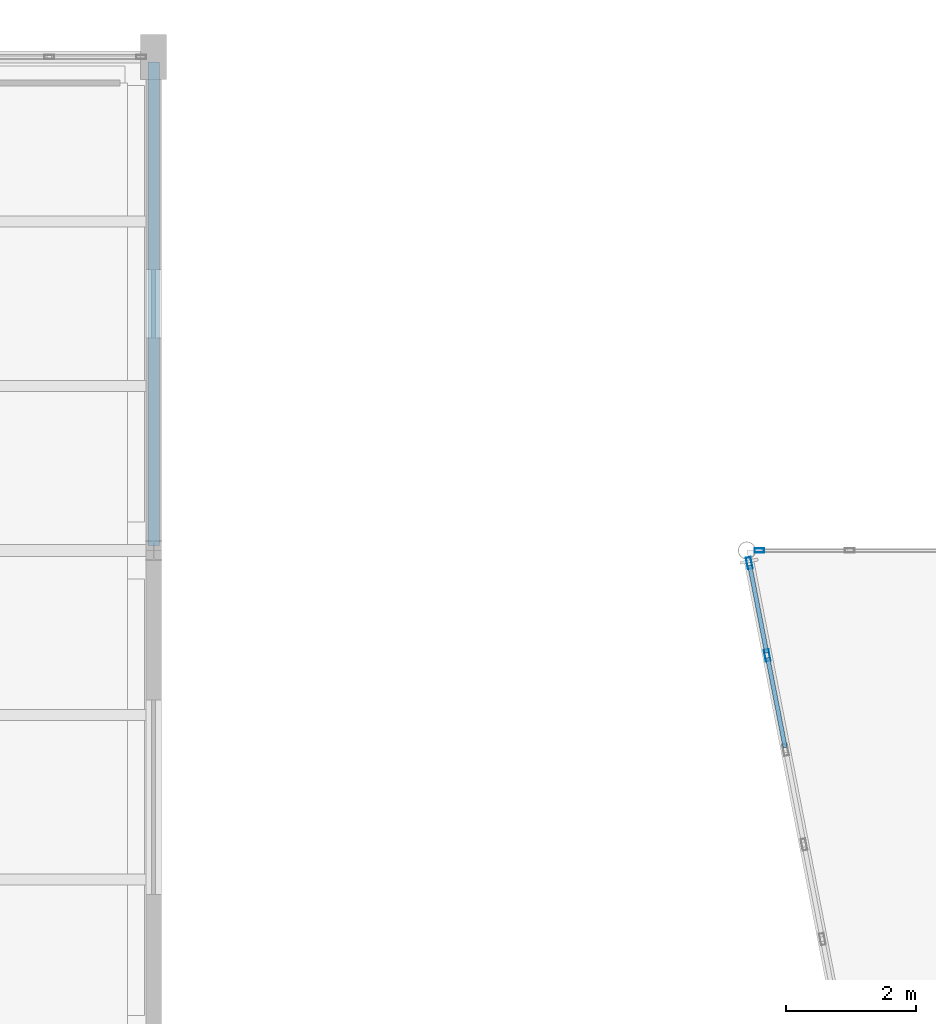
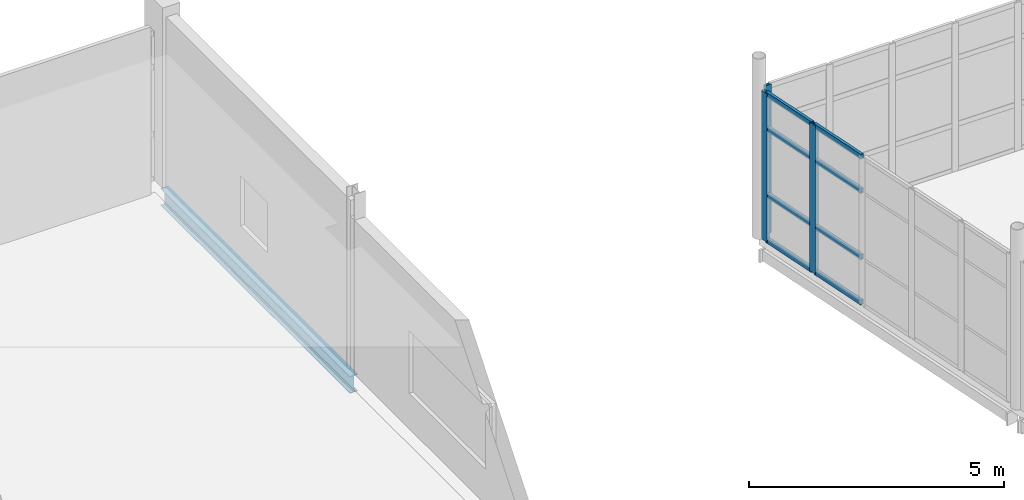
# One storey, part 104 of 174: 11 members, 1 beam, 2 elements without a shape of their own.
"""IFC4 building model written with IfcOpenShell, lengths in metres."""

from ifc_helpers import new_model, si_unit, direction, frame, origin, origin_2d, place, context, subcontext, project, spatial, hollow_rectangle, i_section, extrude, material, material_profile, profile_set, type_object, element, aggregate, save


model = new_model("IFC4")

# Units and contexts
model_context = context("Model", 3, precision=1e-05, world=origin(), true_north=direction((0.0, 1.0)))
body_context = subcontext(model_context, "Body", "Model", "MODEL_VIEW")
ifc_project = project(units=[si_unit("LENGTHUNIT", "METRE"), si_unit("AREAUNIT", "SQUARE_METRE"), si_unit("VOLUMEUNIT", "CUBIC_METRE"), si_unit("PLANEANGLEUNIT", "RADIAN"), si_unit("MASSUNIT", "GRAM", prefix="KILO")], contexts=[model_context])

# Site, building, storey
site_placement = place(None, origin())
site = spatial("IfcSite", under=ifc_project, at=site_placement, CompositionType="ELEMENT")
building_placement = place(site_placement, origin())
building = spatial("IfcBuilding", under=site, at=building_placement, Name="Caisbarro Railhouse Central Library", CompositionType="ELEMENT")
storey_placement = place(building_placement, frame((0.0, 0.0, 5.0400390625)))
storey = spatial("IfcBuildingStorey", under=building, at=storey_placement, Name="L01", CompositionType="ELEMENT", Elevation=5.0400390625)

# Beam
ifc_material_1 = material(Name="Steel ASTM A572 Grade 50", Category="steel")
ifc_material_profile_1 = material_profile(ifc_material_1, i_section(OverallWidth=0.177978515625, OverallDepth=0.406982421875, WebThickness=0.0078125, FlangeThickness=0.0126953125, FilletRadius=0.01611328125, at=origin_2d()), Name="W410X60.0")
ifc_profile_set_1 = profile_set([ifc_material_profile_1], Name="Steel ASTM A572 Grade 50")
beam_type = type_object("IfcBeamType", Name="BM-G10", PredefinedType="BEAM", material=ifc_profile_set_1)
beam_placement = place(storey_placement, frame((99.0, 106.47998046875, -0.403564453125), z_axis=(0.0, 1.0, 0.0), x_axis=(-1.0, 0.0, 0.0)))
element("IfcBeam", 1, at=beam_placement, inside=storey, type_object=beam_type, Name="G10 beam L01 #1207", PredefinedType="BEAM", context=body_context, shape_type="SweptSolid", body=[
    extrude(i_section(OverallWidth=0.177978515625, OverallDepth=0.406982421875, WebThickness=0.0078125, FlangeThickness=0.0126953125, FilletRadius=0.01611328125, at=origin_2d()), origin(), (0.0, 0.0, 1.0), 7.43994140625),
])

# Curtain wall, members
ifc_material_2 = material(Name="Anodised architectural aluminium", Category="aluminium")
curtain_wall_type_1 = type_object("IfcCurtainWallType", Name="CW-CW02", PredefinedType="NOTDEFINED", material=ifc_material_2)
curtain_wall_1_placement = place(storey_placement, origin())
curtain_wall_1 = element("IfcCurtainWall", 2, at=curtain_wall_1_placement, inside=storey, type_object=curtain_wall_type_1, Name="CW02 curtain wall L01 #114", PredefinedType="NOTDEFINED")
ifc_material_profile_2 = material_profile(ifc_material_2, hollow_rectangle(XDim=0.074951171875, YDim=0.179931640625, WallThickness=0.00439453125, at=origin_2d()), Name="ALU-MUL-75X180")
ifc_profile_set_2 = profile_set([ifc_material_profile_2], Name="Anodised architectural aluminium")
member_type_1 = type_object("IfcMemberType", Name="CWM-M01", PredefinedType="MULLION", material=ifc_profile_set_2)
member_1_placement = place(storey_placement, frame((108.449951171875, 104.78564453125, 0.0), z_axis=(0.0, 0.0, 1.0), x_axis=(-0.98160739523, -0.190910768765, 0.0)))
member_1 = element("IfcMember", 3, at=member_1_placement, type_object=member_type_1, Name="CW02 mullion 5", PredefinedType="MULLION", context=body_context, shape_type="SweptSolid", body=[
    extrude(hollow_rectangle(XDim=0.074951171875, YDim=0.179931640625, WallThickness=0.00439453125, at=origin_2d()), origin(), (0.0, 0.0, 1.0), 3.56005859375),
])
member_2_placement = place(storey_placement, frame((108.173583984375, 106.2060546875, 0.0), z_axis=(0.0, 0.0, 1.0), x_axis=(-0.98160739523, -0.190910768765, 0.0)))
member_2 = element("IfcMember", 4, at=member_2_placement, type_object=member_type_1, Name="CW02 mullion 6", PredefinedType="MULLION", context=body_context, shape_type="SweptSolid", body=[
    extrude(hollow_rectangle(XDim=0.074951171875, YDim=0.179931640625, WallThickness=0.00439453125, at=origin_2d()), origin(), (0.0, 0.0, 1.0), 3.56005859375),
])

# Curtain wall, member
curtain_wall_type_2 = type_object("IfcCurtainWallType", Name="CW-CW03", PredefinedType="NOTDEFINED", material=ifc_material_2)
curtain_wall_2_placement = place(storey_placement, origin())
curtain_wall_2 = element("IfcCurtainWall", 5, at=curtain_wall_2_placement, inside=storey, type_object=curtain_wall_type_2, Name="CW03 curtain wall L01 #115", PredefinedType="NOTDEFINED")
ifc_material_profile_3 = material_profile(ifc_material_2, hollow_rectangle(XDim=0.06494140625, YDim=0.14990234375, WallThickness=0.00390625, at=origin_2d()), Name="ALU-MUL-65X150")
ifc_profile_set_3 = profile_set([ifc_material_profile_3], Name="Anodised architectural aluminium")
member_type_2 = type_object("IfcMemberType", Name="CWM-M02", PredefinedType="MULLION", material=ifc_profile_set_3)
member_3_placement = place(storey_placement, frame((108.32861328125, 106.39990234375, 0.0), z_axis=(0.0, 0.0, 1.0), x_axis=(0.0, 1.0, 0.0)))
member_3 = element("IfcMember", 6, at=member_3_placement, type_object=member_type_2, Name="CW03 mullion 1", PredefinedType="MULLION", context=body_context, shape_type="SweptSolid", body=[
    extrude(hollow_rectangle(XDim=0.06494140625, YDim=0.14990234375, WallThickness=0.00390625, at=origin_2d()), origin(), (0.0, 0.0, 1.0), 3.56005859375),
])
aggregate(curtain_wall_2, [member_3])

# Member
ifc_material_profile_4 = material_profile(ifc_material_2, hollow_rectangle(XDim=0.06494140625, YDim=0.1201171875, WallThickness=0.00341796875, at=origin_2d()), Name="ALU-TRN-65X120")
ifc_profile_set_4 = profile_set([ifc_material_profile_4], Name="Anodised architectural aluminium")
member_type_3 = type_object("IfcMemberType", Name="CWT-T02", PredefinedType="USERDEFINED", material=ifc_profile_set_4)
member_4_placement = place(storey_placement, frame((108.72607421875, 103.365478515625, 0.032470703125), z_axis=(-0.190883567843, 0.981612685089, 0.0), x_axis=(-0.981612685089, -0.190883567843, 0.0)))
member_4 = element("IfcMember", 7, at=member_4_placement, type_object=member_type_3, Name="CW02 transom 4.1", ObjectType="TRANSOM", PredefinedType="USERDEFINED", context=body_context, shape_type="SweptSolid", body=[
    extrude(hollow_rectangle(XDim=0.06494140625, YDim=0.1201171875, WallThickness=0.00341796875, at=origin_2d()), origin(), (0.0, 0.0, 1.0), 1.409423828125),
])

member_5_placement = place(storey_placement, frame((108.72607421875, 103.365478515625, 1.119873046875), z_axis=(-0.190883567843, 0.981612685089, 0.0), x_axis=(-0.981612685089, -0.190883567843, 0.0)))
member_5 = element("IfcMember", 8, at=member_5_placement, type_object=member_type_3, Name="CW02 transom 4.2", ObjectType="TRANSOM", PredefinedType="USERDEFINED", context=body_context, shape_type="SweptSolid", body=[
    extrude(hollow_rectangle(XDim=0.06494140625, YDim=0.1201171875, WallThickness=0.00341796875, at=origin_2d()), origin(), (0.0, 0.0, 1.0), 1.409423828125),
])

member_6_placement = place(storey_placement, frame((108.72607421875, 103.365478515625, 2.7099609375), z_axis=(-0.190883567843, 0.981612685089, 0.0), x_axis=(-0.981612685089, -0.190883567843, 0.0)))
member_6 = element("IfcMember", 9, at=member_6_placement, type_object=member_type_3, Name="CW02 transom 4.3", ObjectType="TRANSOM", PredefinedType="USERDEFINED", context=body_context, shape_type="SweptSolid", body=[
    extrude(hollow_rectangle(XDim=0.06494140625, YDim=0.1201171875, WallThickness=0.00341796875, at=origin_2d()), origin(), (0.0, 0.0, 1.0), 1.409423828125),
])

member_7_placement = place(storey_placement, frame((108.72607421875, 103.365478515625, 3.52734375), z_axis=(-0.190883567843, 0.981612685089, 0.0), x_axis=(-0.981612685089, -0.190883567843, 0.0)))
member_7 = element("IfcMember", 10, at=member_7_placement, type_object=member_type_3, Name="CW02 transom 4.4", ObjectType="TRANSOM", PredefinedType="USERDEFINED", context=body_context, shape_type="SweptSolid", body=[
    extrude(hollow_rectangle(XDim=0.06494140625, YDim=0.1201171875, WallThickness=0.00341796875, at=origin_2d()), origin(), (0.0, 0.0, 1.0), 1.409423828125),
])

member_8_placement = place(storey_placement, frame((108.442626953125, 104.822509765625, 0.032470703125), z_axis=(-0.190774392735, 0.981633908887, 0.0), x_axis=(-0.981633908887, -0.190774392735, 0.0)))
member_8 = element("IfcMember", 11, at=member_8_placement, type_object=member_type_3, Name="CW02 transom 5.1", ObjectType="TRANSOM", PredefinedType="USERDEFINED", context=body_context, shape_type="SweptSolid", body=[
    extrude(hollow_rectangle(XDim=0.06494140625, YDim=0.1201171875, WallThickness=0.00341796875, at=origin_2d()), origin(), (0.0, 0.0, 1.0), 1.371826171875),
])

member_9_placement = place(storey_placement, frame((108.442626953125, 104.822509765625, 1.119873046875), z_axis=(-0.190774392735, 0.981633908887, 0.0), x_axis=(-0.981633908887, -0.190774392735, 0.0)))
member_9 = element("IfcMember", 12, at=member_9_placement, type_object=member_type_3, Name="CW02 transom 5.2", ObjectType="TRANSOM", PredefinedType="USERDEFINED", context=body_context, shape_type="SweptSolid", body=[
    extrude(hollow_rectangle(XDim=0.06494140625, YDim=0.1201171875, WallThickness=0.00341796875, at=origin_2d()), origin(), (0.0, 0.0, 1.0), 1.371826171875),
])

member_10_placement = place(storey_placement, frame((108.442626953125, 104.822509765625, 2.7099609375), z_axis=(-0.190774392735, 0.981633908887, 0.0), x_axis=(-0.981633908887, -0.190774392735, 0.0)))
member_10 = element("IfcMember", 13, at=member_10_placement, type_object=member_type_3, Name="CW02 transom 5.3", ObjectType="TRANSOM", PredefinedType="USERDEFINED", context=body_context, shape_type="SweptSolid", body=[
    extrude(hollow_rectangle(XDim=0.06494140625, YDim=0.1201171875, WallThickness=0.00341796875, at=origin_2d()), origin(), (0.0, 0.0, 1.0), 1.371826171875),
])

member_11_placement = place(storey_placement, frame((108.442626953125, 104.822509765625, 3.52734375), z_axis=(-0.190774392735, 0.981633908887, 0.0), x_axis=(-0.981633908887, -0.190774392735, 0.0)))
member_11 = element("IfcMember", 14, at=member_11_placement, type_object=member_type_3, Name="CW02 transom 5.4", ObjectType="TRANSOM", PredefinedType="USERDEFINED", context=body_context, shape_type="SweptSolid", body=[
    extrude(hollow_rectangle(XDim=0.06494140625, YDim=0.1201171875, WallThickness=0.00341796875, at=origin_2d()), origin(), (0.0, 0.0, 1.0), 1.371826171875),
])

aggregate(curtain_wall_1, [member_1, member_2, member_4, member_5, member_6, member_7, member_8, member_9, member_10, member_11])

save(model, "model.ifc")
